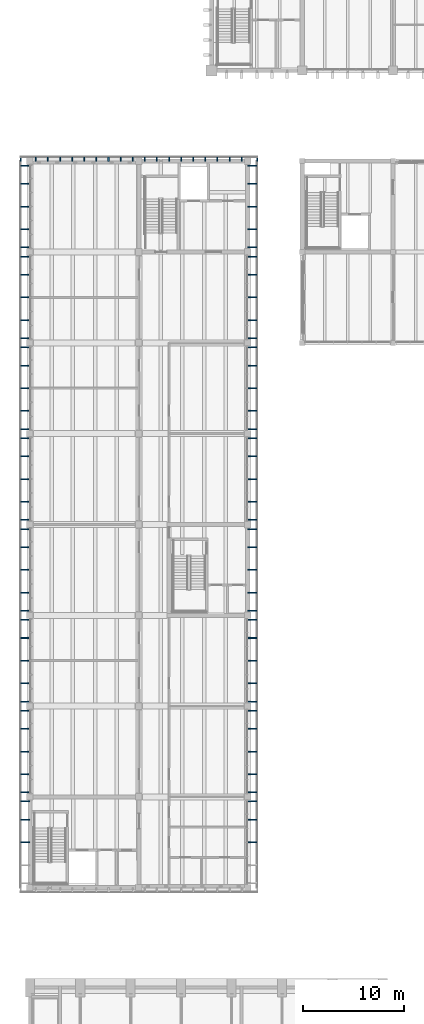
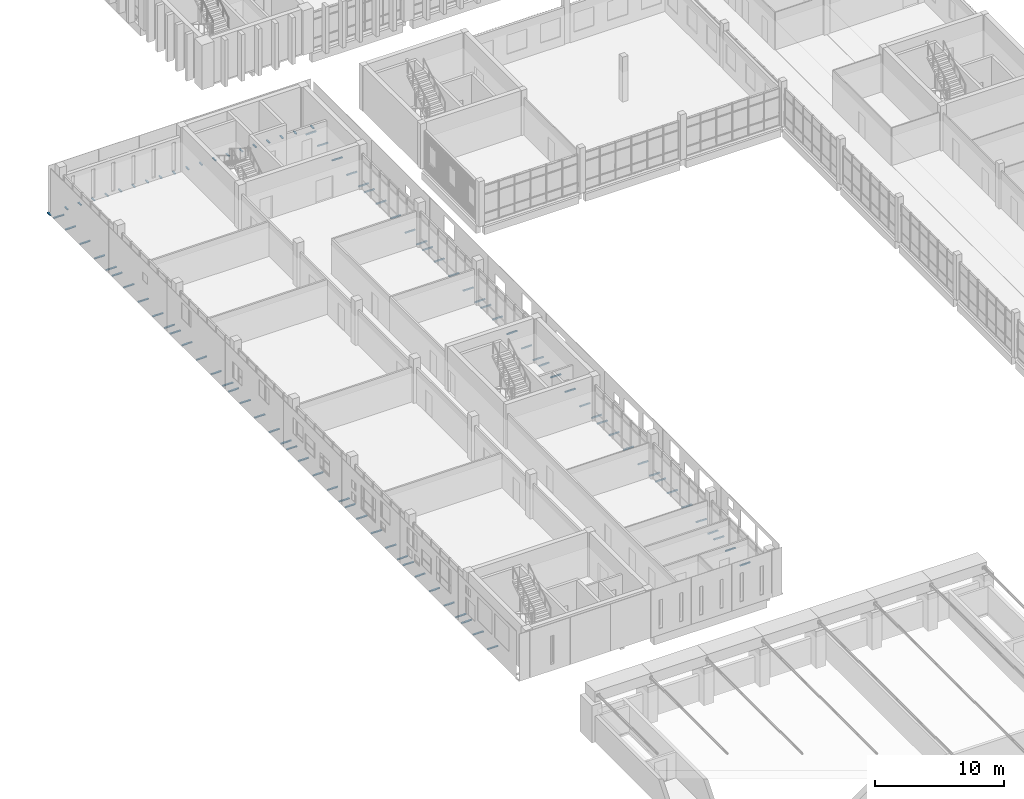
# One storey, part 67 of 92: 96 discrete accessories.
"""IFC4 building model written with IfcOpenShell, lengths in metres."""

from ifc_helpers import new_model, si_unit, direction, frame, origin, place, context, subcontext, project, spatial, polyline, outline, extrude, source, transform, mapped, material, type_object, element, save


model = new_model("IFC4")

# Units and contexts
model_context = context("Model", 3, precision=1e-05, world=origin(), true_north=direction((0.0, 1.0)))
body_context = subcontext(model_context, "Body", "Model", "MODEL_VIEW")
ifc_project = project(units=[si_unit("LENGTHUNIT", "METRE"), si_unit("AREAUNIT", "SQUARE_METRE"), si_unit("VOLUMEUNIT", "CUBIC_METRE"), si_unit("PLANEANGLEUNIT", "RADIAN"), si_unit("MASSUNIT", "GRAM", prefix="KILO")], contexts=[model_context])

# Site, building, storey
site_placement = place(None, origin())
site = spatial("IfcSite", under=ifc_project, at=site_placement, CompositionType="ELEMENT")
building_placement = place(site_placement, origin())
building = spatial("IfcBuilding", under=site, at=building_placement, Name="Merrow Basin Faculty of Sciences", CompositionType="ELEMENT")
storey_placement = place(building_placement, frame((0.0, 0.0, 4.5)))
storey = spatial("IfcBuildingStorey", under=building, at=storey_placement, Name="L01", CompositionType="ELEMENT", Elevation=4.5)

# Discrete accessories
ifc_material_1 = material(Name="Steel ASTM A572 Gr 50", Category="steel")
discrete_accessory_type_1 = type_object("IfcDiscreteAccessoryType", Name="Steel T bracket 100 x 80", PredefinedType="BRACKET", material=ifc_material_1)
shared_shape_1 = source(origin(), body_context, "Body", "SweptSolid", [
    extrude(outline(polyline([(0.0, 0.0), (0.10009765625, 0.0), (0.10009765625, 0.080078125), (0.0, 0.080078125), (0.0, 0.0)])), origin(), (0.0, 0.0, 1.0), 0.89990234375),
])
for number, where, z_axis, x_axis, name in (
    (1, (-0.89990234375, 65.449951171875, -0.2900390625), (1.0, 0.0, 0.0), (0.0, 1.0, 0.0), "Bracket WL01-01"),
    (2, (-0.89990234375, 67.699951171875, -0.2900390625), (1.0, 0.0, 0.0), (0.0, 1.0, 0.0), "Bracket WL01-01"),
    (3, (-0.89990234375, 69.5, -0.2900390625), (1.0, 0.0, 0.0), (0.0, 1.0, 0.0), "Bracket WL01-01"),
    (4, (22.5, 69.60009765625, -0.2900390625), (-1.0, 0.0, 0.0), (0.0, -1.0, 0.0), "Bracket EL01-01"),
    (5, (22.5, 67.800048828125, -0.2900390625), (-1.0, 0.0, 0.0), (0.0, -1.0, 0.0), "Bracket EL01-01"),
    (6, (22.5, 65.550048828125, -0.2900390625), (-1.0, 0.0, 0.0), (0.0, -1.0, 0.0), "Bracket EL01-01"),
    (7, (-0.89990234375, 70.39990234375, -0.2900390625), (1.0, 0.0, 0.0), (0.0, 1.0, 0.0), "Bracket WL01-02"),
    (8, (-0.89990234375, 72.199951171875, -0.2900390625), (1.0, 0.0, 0.0), (0.0, 1.0, 0.0), "Bracket WL01-02"),
    (9, (-0.89990234375, 74.449951171875, -0.2900390625), (1.0, 0.0, 0.0), (0.0, 1.0, 0.0), "Bracket WL01-02"),
    (10, (-0.89990234375, 76.699951171875, -0.2900390625), (1.0, 0.0, 0.0), (0.0, 1.0, 0.0), "Bracket WL01-02"),
    (11, (-0.89990234375, 78.5, -0.2900390625), (1.0, 0.0, 0.0), (0.0, 1.0, 0.0), "Bracket WL01-02"),
    (12, (22.5, 78.60009765625, -0.2900390625), (-1.0, 0.0, 0.0), (0.0, -1.0, 0.0), "Bracket EL01-02"),
    (13, (22.5, 76.800048828125, -0.2900390625), (-1.0, 0.0, 0.0), (0.0, -1.0, 0.0), "Bracket EL01-02"),
    (14, (22.5, 74.550048828125, -0.2900390625), (-1.0, 0.0, 0.0), (0.0, -1.0, 0.0), "Bracket EL01-02"),
    (15, (22.5, 72.300048828125, -0.2900390625), (-1.0, 0.0, 0.0), (0.0, -1.0, 0.0), "Bracket EL01-02"),
    (16, (22.5, 70.5, -0.2900390625), (-1.0, 0.0, 0.0), (0.0, -1.0, 0.0), "Bracket EL01-02"),
    (17, (-0.89990234375, 79.39990234375, -0.2900390625), (1.0, 0.0, 0.0), (0.0, 1.0, 0.0), "Bracket WL01-03"),
    (18, (-0.89990234375, 81.199951171875, -0.2900390625), (1.0, 0.0, 0.0), (0.0, 1.0, 0.0), "Bracket WL01-03"),
    (19, (-0.89990234375, 83.449951171875, -0.2900390625), (1.0, 0.0, 0.0), (0.0, 1.0, 0.0), "Bracket WL01-03"),
    (20, (-0.89990234375, 85.699951171875, -0.2900390625), (1.0, 0.0, 0.0), (0.0, 1.0, 0.0), "Bracket WL01-03"),
    (21, (-0.89990234375, 87.5, -0.2900390625), (1.0, 0.0, 0.0), (0.0, 1.0, 0.0), "Bracket WL01-03"),
    (22, (22.5, 87.60009765625, -0.2900390625), (-1.0, 0.0, 0.0), (0.0, -1.0, 0.0), "Bracket EL01-03"),
    (23, (22.5, 85.800048828125, -0.2900390625), (-1.0, 0.0, 0.0), (0.0, -1.0, 0.0), "Bracket EL01-03"),
    (24, (22.5, 83.550048828125, -0.2900390625), (-1.0, 0.0, 0.0), (0.0, -1.0, 0.0), "Bracket EL01-03"),
    (25, (22.5, 81.300048828125, -0.2900390625), (-1.0, 0.0, 0.0), (0.0, -1.0, 0.0), "Bracket EL01-03"),
    (26, (22.5, 79.5, -0.2900390625), (-1.0, 0.0, 0.0), (0.0, -1.0, 0.0), "Bracket EL01-03"),
    (27, (-0.89990234375, 88.39990234375, -0.2900390625), (1.0, 0.0, 0.0), (0.0, 1.0, 0.0), "Bracket WL01-04"),
    (28, (-0.89990234375, 90.199951171875, -0.2900390625), (1.0, 0.0, 0.0), (0.0, 1.0, 0.0), "Bracket WL01-04"),
    (29, (-0.89990234375, 92.449951171875, -0.2900390625), (1.0, 0.0, 0.0), (0.0, 1.0, 0.0), "Bracket WL01-04"),
    (30, (-0.89990234375, 94.699951171875, -0.2900390625), (1.0, 0.0, 0.0), (0.0, 1.0, 0.0), "Bracket WL01-04"),
    (31, (-0.89990234375, 96.5, -0.2900390625), (1.0, 0.0, 0.0), (0.0, 1.0, 0.0), "Bracket WL01-04"),
    (32, (22.5, 96.60009765625, -0.2900390625), (-1.0, 0.0, 0.0), (0.0, -1.0, 0.0), "Bracket EL01-04"),
    (33, (22.5, 94.800048828125, -0.2900390625), (-1.0, 0.0, 0.0), (0.0, -1.0, 0.0), "Bracket EL01-04"),
    (34, (22.5, 92.550048828125, -0.2900390625), (-1.0, 0.0, 0.0), (0.0, -1.0, 0.0), "Bracket EL01-04"),
    (35, (22.5, 90.300048828125, -0.2900390625), (-1.0, 0.0, 0.0), (0.0, -1.0, 0.0), "Bracket EL01-04"),
    (36, (22.5, 88.5, -0.2900390625), (-1.0, 0.0, 0.0), (0.0, -1.0, 0.0), "Bracket EL01-04"),
    (37, (-0.89990234375, 97.39990234375, -0.2900390625), (1.0, 0.0, 0.0), (0.0, 1.0, 0.0), "Bracket WL01-05"),
    (38, (-0.89990234375, 99.199951171875, -0.2900390625), (1.0, 0.0, 0.0), (0.0, 1.0, 0.0), "Bracket WL01-05"),
    (39, (-0.89990234375, 101.449951171875, -0.2900390625), (1.0, 0.0, 0.0), (0.0, 1.0, 0.0), "Bracket WL01-05"),
    (40, (-0.89990234375, 103.699951171875, -0.2900390625), (1.0, 0.0, 0.0), (0.0, 1.0, 0.0), "Bracket WL01-05"),
    (41, (-0.89990234375, 105.5, -0.2900390625), (1.0, 0.0, 0.0), (0.0, 1.0, 0.0), "Bracket WL01-05"),
    (42, (22.5, 105.60009765625, -0.2900390625), (-1.0, 0.0, 0.0), (0.0, -1.0, 0.0), "Bracket EL01-05"),
    (43, (22.5, 103.800048828125, -0.2900390625), (-1.0, 0.0, 0.0), (0.0, -1.0, 0.0), "Bracket EL01-05"),
    (44, (22.5, 101.550048828125, -0.2900390625), (-1.0, 0.0, 0.0), (0.0, -1.0, 0.0), "Bracket EL01-05"),
    (45, (22.5, 99.300048828125, -0.2900390625), (-1.0, 0.0, 0.0), (0.0, -1.0, 0.0), "Bracket EL01-05"),
    (46, (22.5, 97.5, -0.2900390625), (-1.0, 0.0, 0.0), (0.0, -1.0, 0.0), "Bracket EL01-05"),
    (47, (-0.89990234375, 106.39990234375, -0.2900390625), (1.0, 0.0, 0.0), (0.0, 1.0, 0.0), "Bracket WL01-06"),
    (48, (-0.89990234375, 108.199951171875, -0.2900390625), (1.0, 0.0, 0.0), (0.0, 1.0, 0.0), "Bracket WL01-06"),
    (49, (-0.89990234375, 110.449951171875, -0.2900390625), (1.0, 0.0, 0.0), (0.0, 1.0, 0.0), "Bracket WL01-06"),
    (50, (-0.89990234375, 112.699951171875, -0.2900390625), (1.0, 0.0, 0.0), (0.0, 1.0, 0.0), "Bracket WL01-06"),
    (51, (-0.89990234375, 114.5, -0.2900390625), (1.0, 0.0, 0.0), (0.0, 1.0, 0.0), "Bracket WL01-06"),
    (52, (22.5, 114.60009765625, -0.2900390625), (-1.0, 0.0, 0.0), (0.0, -1.0, 0.0), "Bracket EL01-06"),
    (53, (22.5, 112.800048828125, -0.2900390625), (-1.0, 0.0, 0.0), (0.0, -1.0, 0.0), "Bracket EL01-06"),
    (54, (22.5, 110.550048828125, -0.2900390625), (-1.0, 0.0, 0.0), (0.0, -1.0, 0.0), "Bracket EL01-06"),
    (55, (22.5, 108.300048828125, -0.2900390625), (-1.0, 0.0, 0.0), (0.0, -1.0, 0.0), "Bracket EL01-06"),
    (56, (22.5, 106.5, -0.2900390625), (-1.0, 0.0, 0.0), (0.0, -1.0, 0.0), "Bracket EL01-06"),
    (57, (-0.89990234375, 115.39990234375, -0.2900390625), (1.0, 0.0, 0.0), (0.0, 1.0, 0.0), "Bracket WL01-07"),
    (58, (-0.89990234375, 117.199951171875, -0.2900390625), (1.0, 0.0, 0.0), (0.0, 1.0, 0.0), "Bracket WL01-07"),
    (59, (-0.89990234375, 119.449951171875, -0.2900390625), (1.0, 0.0, 0.0), (0.0, 1.0, 0.0), "Bracket WL01-07"),
    (60, (-0.89990234375, 121.699951171875, -0.2900390625), (1.0, 0.0, 0.0), (0.0, 1.0, 0.0), "Bracket WL01-07"),
    (61, (-0.89990234375, 123.5, -0.2900390625), (1.0, 0.0, 0.0), (0.0, 1.0, 0.0), "Bracket WL01-07"),
    (62, (22.5, 123.60009765625, -0.2900390625), (-1.0, 0.0, 0.0), (0.0, -1.0, 0.0), "Bracket EL01-07"),
    (63, (22.5, 121.800048828125, -0.2900390625), (-1.0, 0.0, 0.0), (0.0, -1.0, 0.0), "Bracket EL01-07"),
    (64, (22.5, 119.550048828125, -0.2900390625), (-1.0, 0.0, 0.0), (0.0, -1.0, 0.0), "Bracket EL01-07"),
    (65, (22.5, 117.300048828125, -0.2900390625), (-1.0, 0.0, 0.0), (0.0, -1.0, 0.0), "Bracket EL01-07"),
    (66, (22.5, 115.5, -0.2900390625), (-1.0, 0.0, 0.0), (0.0, -1.0, 0.0), "Bracket EL01-07"),
    (67, (-0.89990234375, 124.39990234375, -0.2900390625), (1.0, 0.0, 0.0), (0.0, 1.0, 0.0), "Bracket WL01-08"),
    (68, (-0.89990234375, 126.199951171875, -0.2900390625), (1.0, 0.0, 0.0), (0.0, 1.0, 0.0), "Bracket WL01-08"),
    (69, (-0.89990234375, 128.449951171875, -0.2900390625), (1.0, 0.0, 0.0), (0.0, 1.0, 0.0), "Bracket WL01-08"),
    (70, (-0.89990234375, 130.699951171875, -0.2900390625), (1.0, 0.0, 0.0), (0.0, 1.0, 0.0), "Bracket WL01-08"),
    (71, (-0.89990234375, 132.5, -0.2900390625), (1.0, 0.0, 0.0), (0.0, 1.0, 0.0), "Bracket WL01-08"),
    (72, (22.5, 132.60009765625, -0.2900390625), (-1.0, 0.0, 0.0), (0.0, -1.0, 0.0), "Bracket EL01-08"),
    (73, (22.5, 130.800048828125, -0.2900390625), (-1.0, 0.0, 0.0), (0.0, -1.0, 0.0), "Bracket EL01-08"),
    (74, (22.5, 128.550048828125, -0.2900390625), (-1.0, 0.0, 0.0), (0.0, -1.0, 0.0), "Bracket EL01-08"),
    (75, (22.5, 126.300048828125, -0.2900390625), (-1.0, 0.0, 0.0), (0.0, -1.0, 0.0), "Bracket EL01-08"),
    (76, (22.5, 124.5, -0.2900390625), (-1.0, 0.0, 0.0), (0.0, -1.0, 0.0), "Bracket EL01-08"),
):
    element("IfcDiscreteAccessory", number, at=place(storey_placement, frame(where, z_axis=z_axis, x_axis=x_axis)), inside=storey, type_object=discrete_accessory_type_1, Name=name, PredefinedType="BRACKET", context=body_context, shape_type="MappedRepresentation", body=[
        mapped(shared_shape_1, transform((0.0, 0.0, 0.0), scale=1.0)),
    ])
ifc_material_2 = material(Name="Steel ASTM A572 Gr 50", Category="steel")
discrete_accessory_type_2 = type_object("IfcDiscreteAccessoryType", Name="Steel T bracket 100 x 80 corner", PredefinedType="BRACKET", material=ifc_material_2)
shared_shape_2 = source(origin(), body_context, "Body", "SweptSolid", [
    extrude(outline(polyline([(0.0, 0.0), (0.10009765625, 0.0), (0.10009765625, 0.080078125), (0.0, 0.080078125), (0.0, 0.0)])), origin(), (0.0, 0.0, 1.0), 0.419921875),
])
for number, where, z_axis, x_axis, name in (
    (77, (-0.969970703125, 133.39990234375, -0.2900390625), (0.0, -1.0, 0.0), (1.0, 0.0, 0.0), "End corner bracket NL01-01"),
    (78, (22.469970703125, 133.39990234375, -0.2900390625), (0.0, -1.0, 0.0), (1.0, 0.0, 0.0), "End corner bracket NL01-08"),
):
    element("IfcDiscreteAccessory", number, at=place(storey_placement, frame(where, z_axis=z_axis, x_axis=x_axis)), inside=storey, type_object=discrete_accessory_type_2, Name=name, PredefinedType="BRACKET", context=body_context, shape_type="MappedRepresentation", body=[
        mapped(shared_shape_2, transform((0.0, 0.0, 0.0), scale=1.0)),
    ])
ifc_material_3 = material(Name="Steel ASTM A572 Gr 50", Category="steel")
discrete_accessory_type_3 = type_object("IfcDiscreteAccessoryType", Name="Steel T bracket 100 x 80 short", PredefinedType="BRACKET", material=ifc_material_3)
shared_shape_3 = source(origin(), body_context, "Body", "SweptSolid", [
    extrude(outline(polyline([(0.0, 0.0), (0.10009765625, 0.0), (0.10009765625, 0.080078125), (0.0, 0.080078125), (0.0, 0.0)])), origin(), (0.0, 0.0, 1.0), 0.39990234375),
])
for number, where, z_axis, x_axis, name in (
    (79, (0.550048828125, 133.39990234375, -0.2900390625), (0.0, -1.0, 0.0), (1.0, 0.0, 0.0), "End bracket NL01-02-1"),
    (80, (1.75, 133.39990234375, -0.2900390625), (0.0, -1.0, 0.0), (1.0, 0.0, 0.0), "End bracket NL01-02-2"),
    (81, (2.949951171875, 133.39990234375, -0.2900390625), (0.0, -1.0, 0.0), (1.0, 0.0, 0.0), "End bracket NL01-02-3"),
    (82, (4.14990234375, 133.39990234375, -0.2900390625), (0.0, -1.0, 0.0), (1.0, 0.0, 0.0), "End bracket NL01-03-1"),
    (83, (5.35009765625, 133.39990234375, -0.2900390625), (0.0, -1.0, 0.0), (1.0, 0.0, 0.0), "End bracket NL01-03-2"),
    (84, (6.550048828125, 133.39990234375, -0.2900390625), (0.0, -1.0, 0.0), (1.0, 0.0, 0.0), "End bracket NL01-03-3"),
    (85, (7.75, 133.39990234375, -0.2900390625), (0.0, -1.0, 0.0), (1.0, 0.0, 0.0), "End bracket NL01-04-1"),
    (86, (8.949951171875, 133.39990234375, -0.2900390625), (0.0, -1.0, 0.0), (1.0, 0.0, 0.0), "End bracket NL01-04-2"),
    (87, (10.14990234375, 133.39990234375, -0.2900390625), (0.0, -1.0, 0.0), (1.0, 0.0, 0.0), "End bracket NL01-04-3"),
    (88, (11.35009765625, 133.39990234375, -0.2900390625), (0.0, -1.0, 0.0), (1.0, 0.0, 0.0), "End bracket NL01-05-1"),
    (89, (12.550048828125, 133.39990234375, -0.2900390625), (0.0, -1.0, 0.0), (1.0, 0.0, 0.0), "End bracket NL01-05-2"),
    (90, (13.75, 133.39990234375, -0.2900390625), (0.0, -1.0, 0.0), (1.0, 0.0, 0.0), "End bracket NL01-05-3"),
    (91, (14.949951171875, 133.39990234375, -0.2900390625), (0.0, -1.0, 0.0), (1.0, 0.0, 0.0), "End bracket NL01-06-1"),
    (92, (16.14990234375, 133.39990234375, -0.2900390625), (0.0, -1.0, 0.0), (1.0, 0.0, 0.0), "End bracket NL01-06-2"),
    (93, (17.35009765625, 133.39990234375, -0.2900390625), (0.0, -1.0, 0.0), (1.0, 0.0, 0.0), "End bracket NL01-06-3"),
    (94, (18.550048828125, 133.39990234375, -0.2900390625), (0.0, -1.0, 0.0), (1.0, 0.0, 0.0), "End bracket NL01-07-1"),
    (95, (19.75, 133.39990234375, -0.2900390625), (0.0, -1.0, 0.0), (1.0, 0.0, 0.0), "End bracket NL01-07-2"),
    (96, (20.949951171875, 133.39990234375, -0.2900390625), (0.0, -1.0, 0.0), (1.0, 0.0, 0.0), "End bracket NL01-07-3"),
):
    element("IfcDiscreteAccessory", number, at=place(storey_placement, frame(where, z_axis=z_axis, x_axis=x_axis)), inside=storey, type_object=discrete_accessory_type_3, Name=name, PredefinedType="BRACKET", context=body_context, shape_type="MappedRepresentation", body=[
        mapped(shared_shape_3, transform((0.0, 0.0, 0.0), scale=1.0)),
    ])

save(model, "model.ifc")
